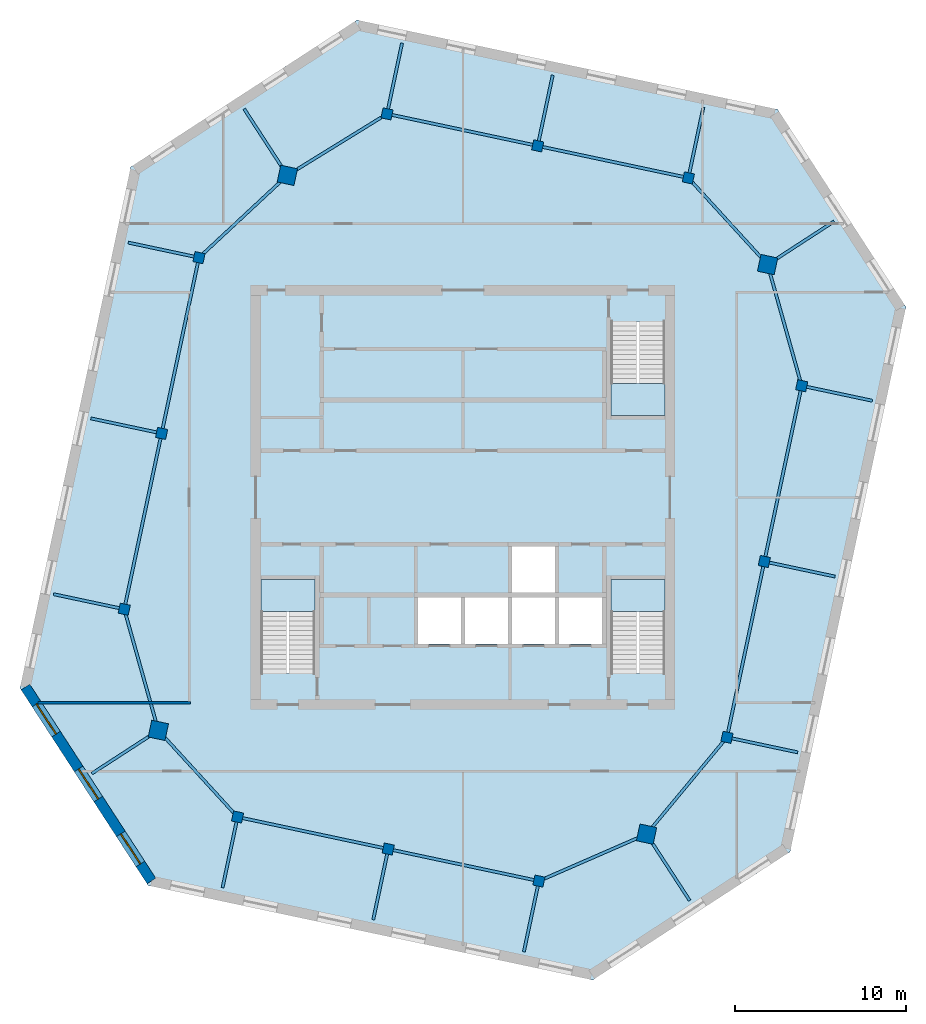
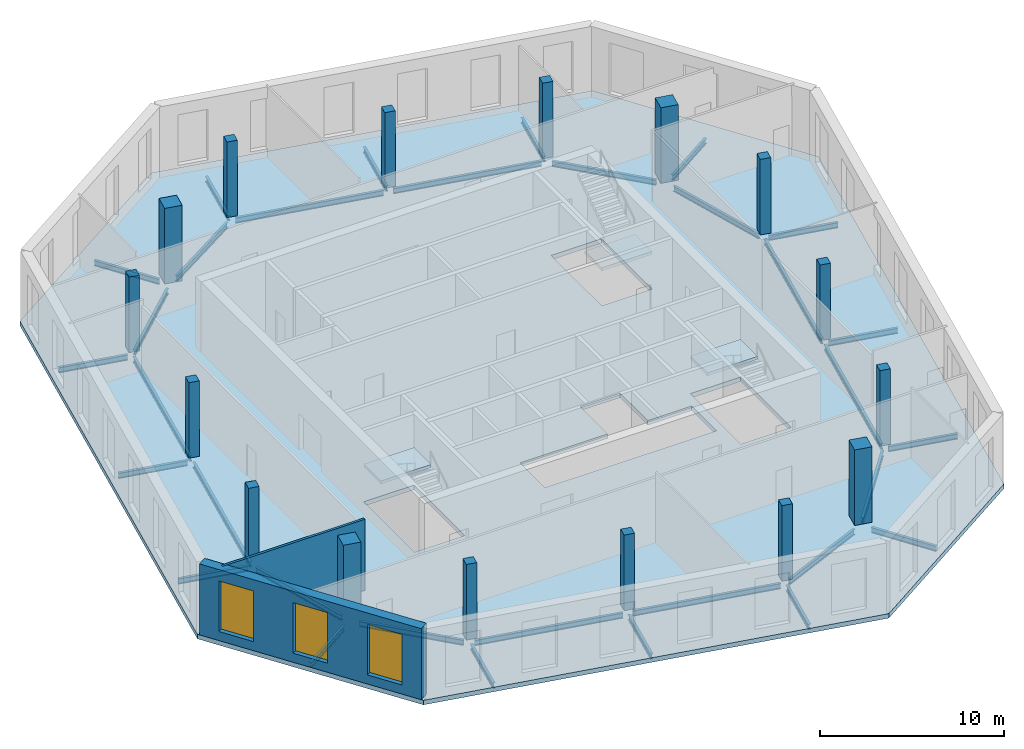
# One storey, part 1 of 6: 32 beams, 16 columns, 4 slabs, 3 windows, 2 walls, 3 openings, 3 elements without a shape of their own.
"""IFC4 building model written with IfcOpenShell, lengths in metres."""

from ifc_helpers import new_model, si_unit, direction, frame, frame_2d, origin, origin_2d, place, context, subcontext, project, spatial, polyline, rectangle, i_section, outline, extrude, material, layer, layer_set, material_profile, profile_set, type_object, element, fill, aggregate, save


model = new_model("IFC4")

# Units and contexts
model_context = context("Model", 3, precision=1e-05, world=origin(), true_north=direction((0.0, 1.0)))
body_context = subcontext(model_context, "Body", "Model", "MODEL_VIEW")
ifc_project = project(units=[si_unit("LENGTHUNIT", "METRE"), si_unit("AREAUNIT", "SQUARE_METRE"), si_unit("VOLUMEUNIT", "CUBIC_METRE"), si_unit("PLANEANGLEUNIT", "RADIAN"), si_unit("MASSUNIT", "GRAM", prefix="KILO")], contexts=[model_context])

# Site, building, storey
site_placement = place(None, origin())
site = spatial("IfcSite", under=ifc_project, at=site_placement, CompositionType="ELEMENT")
building_placement = place(site_placement, origin())
building = spatial("IfcBuilding", under=site, at=building_placement, Name="Dilmun Exchange Tower", CompositionType="ELEMENT")
storey_placement = place(building_placement, frame((0.0, 0.0, 358.10009765625)))
storey = spatial("IfcBuildingStorey", under=building, at=storey_placement, Name="Crown L84", CompositionType="ELEMENT", Elevation=358.10009765625)

# Columns
ifc_material_1 = material(Name="Concrete C50/60", Category="concrete")
ifc_material_profile_1 = material_profile(ifc_material_1, rectangle(XDim=1.0, YDim=1.0, at=origin_2d()), Name="1000 x 1000")
ifc_profile_set_1 = profile_set([ifc_material_profile_1], Name="Concrete C50/60")
column_type_1 = type_object("IfcColumnType", Name="RC crown mega column 1000 x 1000 C50/60", PredefinedType="COLUMN", material=ifc_profile_set_1)
for number, where, z_axis, x_axis, name in (
    (1, (-10.260986328125, 18.820068359375, 0.0), (0.0, 0.0, 1.0), (0.207911690818, 0.978147600734, 0.0), "Crown column M1"),
    (2, (-17.798095703125, -13.60693359375, 0.0), (0.0, 0.0, 1.0), (0.207911690818, 0.978147600734, 0.0), "Crown column M2"),
    (3, (10.72509765625, -19.669921875, 0.0), (0.0, 0.0, 1.0), (0.207911690818, 0.978147600734, 0.0), "Crown column M3"),
    (4, (17.798095703125, 13.60693359375, 0.0), (0.0, 0.0, 1.0), (0.207911690818, 0.978147600734, 0.0), "Crown column M4"),
):
    element("IfcColumn", number, at=place(storey_placement, frame(where, z_axis=z_axis, x_axis=x_axis)), inside=storey, type_object=column_type_1, Name=name, PredefinedType="COLUMN", context=body_context, shape_type="SweptSolid", body=[
        extrude(rectangle(XDim=1.0, YDim=1.0, at=origin_2d()), origin(), (0.0, 0.0, 1.0), 5.0),
    ])
ifc_material_profile_2 = material_profile(ifc_material_1, rectangle(XDim=0.60009765625, YDim=0.60009765625, at=origin_2d()), Name="600 x 600")
ifc_profile_set_2 = profile_set([ifc_material_profile_2], Name="Concrete C50/60")
column_type_2 = type_object("IfcColumnType", Name="RC crown ring column 600 x 600 C50/60", PredefinedType="COLUMN", material=ifc_profile_set_2)
for number, where, z_axis, x_axis, name in (
    (5, (-15.424072265625, 14.012939453125, 0.0), (0.0, 0.0, 1.0), (0.207911690818, 0.978147600734, 0.0), "Crown column R01"),
    (6, (-17.60693359375, 3.741943359375, 0.0), (0.0, 0.0, 1.0), (0.207911690818, 0.978147600734, 0.0), "Crown column R02"),
    (7, (-19.7900390625, -6.528076171875, 0.0), (0.0, 0.0, 1.0), (0.207911690818, 0.978147600734, 0.0), "Crown column R03"),
    (8, (-13.1689453125, -18.669921875, 0.0), (0.0, 0.0, 1.0), (0.207911690818, 0.978147600734, 0.0), "Crown column R04"),
    (9, (-4.365966796875, -20.541015625, 0.0), (0.0, 0.0, 1.0), (0.207911690818, 0.978147600734, 0.0), "Crown column R05"),
    (10, (4.43701171875, -22.412109375, 0.0), (0.0, 0.0, 1.0), (0.207911690818, 0.978147600734, 0.0), "Crown column R06"),
    (11, (15.424072265625, -14.012939453125, 0.0), (0.0, 0.0, 1.0), (0.207911690818, 0.978147600734, 0.0), "Crown column R07"),
    (12, (17.60693359375, -3.741943359375, 0.0), (0.0, 0.0, 1.0), (0.207911690818, 0.978147600734, 0.0), "Crown column R08"),
    (13, (19.7900390625, 6.528076171875, 0.0), (0.0, 0.0, 1.0), (0.207911690818, 0.978147600734, 0.0), "Crown column R09"),
    (14, (13.1689453125, 18.669921875, 0.0), (0.0, 0.0, 1.0), (0.207911690818, 0.978147600734, 0.0), "Crown column R10"),
    (15, (4.365966796875, 20.541015625, 0.0), (0.0, 0.0, 1.0), (0.207911690818, 0.978147600734, 0.0), "Crown column R11"),
    (16, (-4.43701171875, 22.412109375, 0.0), (0.0, 0.0, 1.0), (0.207911690818, 0.978147600734, 0.0), "Crown column R12"),
):
    element("IfcColumn", number, at=place(storey_placement, frame(where, z_axis=z_axis, x_axis=x_axis)), inside=storey, type_object=column_type_2, Name=name, PredefinedType="COLUMN", context=body_context, shape_type="SweptSolid", body=[
        extrude(rectangle(XDim=0.60009765625, YDim=0.60009765625, at=origin_2d()), origin(), (0.0, 0.0, 1.0), 5.0),
    ])

# Beams
ifc_material_2 = material(Name="Steel S355", Category="steel")
ifc_material_profile_3 = material_profile(ifc_material_2, i_section(OverallWidth=0.169921875, OverallDepth=0.360107421875, WebThickness=0.008056640625, FlangeThickness=0.0126953125, FilletRadius=0.01806640625, at=origin_2d()), Name="IPE 360")
ifc_profile_set_3 = profile_set([ifc_material_profile_3], Name="Steel S355")
beam_type_1 = type_object("IfcBeamType", Name="crown cantilever beam IPE 360", PredefinedType="BEAM", material=ifc_profile_set_3)
beam_1_placement = place(storey_placement, frame((-10.63134765625, 19.390380859375, -0.47998046875), z_axis=(-0.544647223982, 0.838665249911, 0.0), x_axis=(-0.838665249911, -0.544647223982, 0.0)))
element("IfcBeam", 17, at=beam_1_placement, inside=storey, type_object=beam_type_1, Name="Crown cantilever beam 1", PredefinedType="BEAM", context=body_context, shape_type="SweptSolid", body=[
    extrude(i_section(OverallWidth=0.169921875, OverallDepth=0.360107421875, WebThickness=0.008056640625, FlangeThickness=0.0126953125, FilletRadius=0.01806640625, at=origin_2d()), origin(), (0.0, 0.0, 1.0), 3.949951171875),
])
for number, where, z_axis, x_axis, name in (
    (18, (-15.69091796875, 14.06982421875, -0.47998046875), (-0.978146596989, 0.207916413008, 0.0), (-0.207916413008, -0.978146596989, 0.0), "Crown cantilever beam 2"),
    (19, (-17.8740234375, 3.798828125, -0.47998046875), (-0.978146596989, 0.207916413008, 0.0), (-0.207916413008, -0.978146596989, 0.0), "Crown cantilever beam 3"),
    (20, (-20.056884765625, -6.47119140625, -0.47998046875), (-0.978146596989, 0.207916413008, 0.0), (-0.207916413008, -0.978146596989, 0.0), "Crown cantilever beam 4"),
):
    element("IfcBeam", number, at=place(storey_placement, frame(where, z_axis=z_axis, x_axis=x_axis)), inside=storey, type_object=beam_type_1, Name=name, PredefinedType="BEAM", context=body_context, shape_type="SweptSolid", body=[
        extrude(i_section(OverallWidth=0.169921875, OverallDepth=0.360107421875, WebThickness=0.008056640625, FlangeThickness=0.0126953125, FilletRadius=0.01806640625, at=origin_2d()), origin(), (0.0, 0.0, 1.0), 3.9501953125),
    ])
beam_2_placement = place(storey_placement, frame((-18.368408203125, -13.977294921875, -0.47998046875), z_axis=(-0.838665249911, -0.544647223982, 0.0), x_axis=(0.544647223982, -0.838665249911, 0.0)))
element("IfcBeam", 21, at=beam_2_placement, inside=storey, type_object=beam_type_1, Name="Crown cantilever beam 5", PredefinedType="BEAM", context=body_context, shape_type="SweptSolid", body=[
    extrude(i_section(OverallWidth=0.169921875, OverallDepth=0.360107421875, WebThickness=0.008056640625, FlangeThickness=0.0126953125, FilletRadius=0.01806640625, at=origin_2d()), origin(), (0.0, 0.0, 1.0), 3.949951171875),
])
beam_3_placement = place(storey_placement, frame((-13.225830078125, -18.93701171875, -0.47998046875), z_axis=(-0.207916413008, -0.978146596989, 0.0), x_axis=(0.978146596989, -0.207916413008, 0.0)))
element("IfcBeam", 22, at=beam_3_placement, inside=storey, type_object=beam_type_1, Name="Crown cantilever beam 6", PredefinedType="BEAM", context=body_context, shape_type="SweptSolid", body=[
    extrude(i_section(OverallWidth=0.169921875, OverallDepth=0.360107421875, WebThickness=0.008056640625, FlangeThickness=0.0126953125, FilletRadius=0.01806640625, at=origin_2d()), origin(), (0.0, 0.0, 1.0), 3.9501953125),
])
beam_4_placement = place(storey_placement, frame((-4.4228515625, -20.80810546875, -0.47998046875), z_axis=(-0.20786984461, -0.978156494484, 0.0), x_axis=(0.978156494484, -0.20786984461, 0.0)))
element("IfcBeam", 23, at=beam_4_placement, inside=storey, type_object=beam_type_1, Name="Crown cantilever beam 7", PredefinedType="BEAM", context=body_context, shape_type="SweptSolid", body=[
    extrude(i_section(OverallWidth=0.169921875, OverallDepth=0.360107421875, WebThickness=0.008056640625, FlangeThickness=0.0126953125, FilletRadius=0.01806640625, at=origin_2d()), origin(), (0.0, 0.0, 1.0), 3.94970703125),
])
beam_5_placement = place(storey_placement, frame((4.380126953125, -22.678955078125, -0.47998046875), z_axis=(-0.207857277402, -0.978159165081, 0.0), x_axis=(0.978159165081, -0.207857277402, 0.0)))
element("IfcBeam", 24, at=beam_5_placement, inside=storey, type_object=beam_type_1, Name="Crown cantilever beam 8", PredefinedType="BEAM", context=body_context, shape_type="SweptSolid", body=[
    extrude(i_section(OverallWidth=0.169921875, OverallDepth=0.360107421875, WebThickness=0.008056640625, FlangeThickness=0.0126953125, FilletRadius=0.01806640625, at=origin_2d()), origin(), (0.0, 0.0, 1.0), 3.949951171875),
])
beam_6_placement = place(storey_placement, frame((11.095458984375, -20.240478515625, -0.47998046875), z_axis=(0.544631981942, -0.838675148222, 0.0), x_axis=(0.838675148222, 0.544631981942, 0.0)))
element("IfcBeam", 25, at=beam_6_placement, inside=storey, type_object=beam_type_1, Name="Crown cantilever beam 9", PredefinedType="BEAM", context=body_context, shape_type="SweptSolid", body=[
    extrude(i_section(OverallWidth=0.169921875, OverallDepth=0.360107421875, WebThickness=0.008056640625, FlangeThickness=0.0126953125, FilletRadius=0.01806640625, at=origin_2d()), origin(), (0.0, 0.0, 1.0), 3.94970703125),
])
for number, where, z_axis, x_axis, name in (
    (26, (15.69091796875, -14.06982421875, -0.47998046875), (0.978146596989, -0.207916413008, 0.0), (0.207916413008, 0.978146596989, 0.0), "Crown cantilever beam 10"),
    (27, (17.8740234375, -3.798828125, -0.47998046875), (0.978146596989, -0.207916413008, 0.0), (0.207916413008, 0.978146596989, 0.0), "Crown cantilever beam 11"),
    (28, (20.056884765625, 6.47119140625, -0.47998046875), (0.978146596989, -0.207916413008, 0.0), (0.207916413008, 0.978146596989, 0.0), "Crown cantilever beam 12"),
):
    element("IfcBeam", number, at=place(storey_placement, frame(where, z_axis=z_axis, x_axis=x_axis)), inside=storey, type_object=beam_type_1, Name=name, PredefinedType="BEAM", context=body_context, shape_type="SweptSolid", body=[
        extrude(i_section(OverallWidth=0.169921875, OverallDepth=0.360107421875, WebThickness=0.008056640625, FlangeThickness=0.0126953125, FilletRadius=0.01806640625, at=origin_2d()), origin(), (0.0, 0.0, 1.0), 3.9501953125),
    ])
beam_7_placement = place(storey_placement, frame((18.368408203125, 13.977294921875, -0.47998046875), z_axis=(0.838665249911, 0.544647223982, 0.0), x_axis=(-0.544647223982, 0.838665249911, 0.0)))
element("IfcBeam", 29, at=beam_7_placement, inside=storey, type_object=beam_type_1, Name="Crown cantilever beam 13", PredefinedType="BEAM", context=body_context, shape_type="SweptSolid", body=[
    extrude(i_section(OverallWidth=0.169921875, OverallDepth=0.360107421875, WebThickness=0.008056640625, FlangeThickness=0.0126953125, FilletRadius=0.01806640625, at=origin_2d()), origin(), (0.0, 0.0, 1.0), 3.949951171875),
])
beam_8_placement = place(storey_placement, frame((13.225830078125, 18.93701171875, -0.47998046875), z_axis=(0.207916413008, 0.978146596989, 0.0), x_axis=(-0.978146596989, 0.207916413008, 0.0)))
element("IfcBeam", 30, at=beam_8_placement, inside=storey, type_object=beam_type_1, Name="Crown cantilever beam 14", PredefinedType="BEAM", context=body_context, shape_type="SweptSolid", body=[
    extrude(i_section(OverallWidth=0.169921875, OverallDepth=0.360107421875, WebThickness=0.008056640625, FlangeThickness=0.0126953125, FilletRadius=0.01806640625, at=origin_2d()), origin(), (0.0, 0.0, 1.0), 3.9501953125),
])
beam_9_placement = place(storey_placement, frame((4.4228515625, 20.80810546875, -0.47998046875), z_axis=(0.20786984461, 0.978156494484, 0.0), x_axis=(-0.978156494484, 0.20786984461, 0.0)))
element("IfcBeam", 31, at=beam_9_placement, inside=storey, type_object=beam_type_1, Name="Crown cantilever beam 15", PredefinedType="BEAM", context=body_context, shape_type="SweptSolid", body=[
    extrude(i_section(OverallWidth=0.169921875, OverallDepth=0.360107421875, WebThickness=0.008056640625, FlangeThickness=0.0126953125, FilletRadius=0.01806640625, at=origin_2d()), origin(), (0.0, 0.0, 1.0), 3.94970703125),
])
beam_10_placement = place(storey_placement, frame((-4.380126953125, 22.678955078125, -0.47998046875), z_axis=(0.207857277402, 0.978159165081, 0.0), x_axis=(-0.978159165081, 0.207857277402, 0.0)))
element("IfcBeam", 32, at=beam_10_placement, inside=storey, type_object=beam_type_1, Name="Crown cantilever beam 16", PredefinedType="BEAM", context=body_context, shape_type="SweptSolid", body=[
    extrude(i_section(OverallWidth=0.169921875, OverallDepth=0.360107421875, WebThickness=0.008056640625, FlangeThickness=0.0126953125, FilletRadius=0.01806640625, at=origin_2d()), origin(), (0.0, 0.0, 1.0), 3.949951171875),
])
ifc_material_profile_4 = material_profile(ifc_material_2, i_section(OverallWidth=0.169921875, OverallDepth=0.360107421875, WebThickness=0.008056640625, FlangeThickness=0.0126953125, FilletRadius=0.01806640625, at=origin_2d()), Name="IPE 360")
ifc_profile_set_4 = profile_set([ifc_material_profile_4], Name="Steel S355")
beam_type_2 = type_object("IfcBeamType", Name="crown ring beam IPE 360", PredefinedType="BEAM", material=ifc_profile_set_4)
beam_11_placement = place(storey_placement, frame((-10.688232421875, 18.422119140625, -0.47998046875), z_axis=(-0.731902192128, -0.681409701398, 0.0), x_axis=(0.681409701398, -0.731902192128, 0.0)))
element("IfcBeam", 33, at=beam_11_placement, inside=storey, type_object=beam_type_2, Name="Crown ring beam 1", PredefinedType="BEAM", context=body_context, shape_type="SweptSolid", body=[
    extrude(i_section(OverallWidth=0.169921875, OverallDepth=0.360107421875, WebThickness=0.008056640625, FlangeThickness=0.0126953125, FilletRadius=0.01806640625, at=origin_2d()), origin(), (0.0, 0.0, 1.0), 6.131103515625),
])
beam_12_placement = place(storey_placement, frame((-15.480712890625, 13.74609375, -0.47998046875), z_axis=(-0.207902460752, -0.978149562599, 0.0), x_axis=(0.978149562599, -0.207902460752, 0.0)))
element("IfcBeam", 34, at=beam_12_placement, inside=storey, type_object=beam_type_2, Name="Crown ring beam 2", PredefinedType="BEAM", context=body_context, shape_type="SweptSolid", body=[
    extrude(i_section(OverallWidth=0.169921875, OverallDepth=0.360107421875, WebThickness=0.008056640625, FlangeThickness=0.0126953125, FilletRadius=0.01806640625, at=origin_2d()), origin(), (0.0, 0.0, 1.0), 9.95458984375),
])
beam_13_placement = place(storey_placement, frame((-17.663818359375, 3.47509765625, -0.47998046875), z_axis=(-0.207898944968, -0.978150309861, 0.0), x_axis=(0.978150309861, -0.207898944968, 0.0)))
element("IfcBeam", 35, at=beam_13_placement, inside=storey, type_object=beam_type_2, Name="Crown ring beam 3", PredefinedType="BEAM", context=body_context, shape_type="SweptSolid", body=[
    extrude(i_section(OverallWidth=0.169921875, OverallDepth=0.360107421875, WebThickness=0.008056640625, FlangeThickness=0.0126953125, FilletRadius=0.01806640625, at=origin_2d()), origin(), (0.0, 0.0, 1.0), 9.95361328125),
])
beam_14_placement = place(storey_placement, frame((-19.70556640625, -6.828125, -0.47998046875), z_axis=(0.27088688056, -0.962611187313, 0.0), x_axis=(0.962611187313, 0.27088688056, 0.0)))
element("IfcBeam", 36, at=beam_14_placement, inside=storey, type_object=beam_type_2, Name="Crown ring beam 4", PredefinedType="BEAM", context=body_context, shape_type="SweptSolid", body=[
    extrude(i_section(OverallWidth=0.169921875, OverallDepth=0.360107421875, WebThickness=0.008056640625, FlangeThickness=0.0126953125, FilletRadius=0.01806640625, at=origin_2d()), origin(), (0.0, 0.0, 1.0), 6.50439453125),
])
beam_15_placement = place(storey_placement, frame((-17.401611328125, -14.040771484375, -0.47998046875), z_axis=(0.674784574678, -0.738014754443, 0.0), x_axis=(0.738014754443, 0.674784574678, 0.0)))
element("IfcBeam", 37, at=beam_15_placement, inside=storey, type_object=beam_type_2, Name="Crown ring beam 5", PredefinedType="BEAM", context=body_context, shape_type="SweptSolid", body=[
    extrude(i_section(OverallWidth=0.169921875, OverallDepth=0.360107421875, WebThickness=0.008056640625, FlangeThickness=0.0126953125, FilletRadius=0.01806640625, at=origin_2d()), origin(), (0.0, 0.0, 1.0), 5.9306640625),
])
for number, where, z_axis, x_axis, name in (
    (38, (-12.902099609375, -18.726806640625, -0.47998046875), (0.978155180899, -0.207876025749, 0.0), (0.207876025749, 0.978155180899, 0.0), "Crown ring beam 6"),
    (39, (-4.09912109375, -20.597900390625, -0.47998046875), (0.978155180899, -0.207876025749, 0.0), (0.207876025749, 0.978155180899, 0.0), "Crown ring beam 7"),
):
    element("IfcBeam", number, at=place(storey_placement, frame(where, z_axis=z_axis, x_axis=x_axis)), inside=storey, type_object=beam_type_2, Name=name, PredefinedType="BEAM", context=body_context, shape_type="SweptSolid", body=[
        extrude(i_section(OverallWidth=0.169921875, OverallDepth=0.360107421875, WebThickness=0.008056640625, FlangeThickness=0.0126953125, FilletRadius=0.01806640625, at=origin_2d()), origin(), (0.0, 0.0, 1.0), 8.45361328125),
    ])
beam_16_placement = place(storey_placement, frame((4.750244140625, -22.275390625, -0.47998046875), z_axis=(0.916630994698, 0.399734436294, 0.0), x_axis=(-0.399734436294, 0.916630994698, 0.0)))
element("IfcBeam", 40, at=beam_16_placement, inside=storey, type_object=beam_type_2, Name="Crown ring beam 8", PredefinedType="BEAM", context=body_context, shape_type="SweptSolid", body=[
    extrude(i_section(OverallWidth=0.169921875, OverallDepth=0.360107421875, WebThickness=0.008056640625, FlangeThickness=0.0126953125, FilletRadius=0.01806640625, at=origin_2d()), origin(), (0.0, 0.0, 1.0), 5.930419921875),
])
beam_17_placement = place(storey_placement, frame((11.068603515625, -19.25634765625, -0.47998046875), z_axis=(0.638957852537, 0.76924174528, 0.0), x_axis=(-0.76924174528, 0.638957852537, 0.0)))
element("IfcBeam", 41, at=beam_17_placement, inside=storey, type_object=beam_type_2, Name="Crown ring beam 9", PredefinedType="BEAM", context=body_context, shape_type="SweptSolid", body=[
    extrude(i_section(OverallWidth=0.169921875, OverallDepth=0.360107421875, WebThickness=0.008056640625, FlangeThickness=0.0126953125, FilletRadius=0.01806640625, at=origin_2d()), origin(), (0.0, 0.0, 1.0), 6.50439453125),
])
beam_18_placement = place(storey_placement, frame((15.480712890625, -13.74609375, -0.47998046875), z_axis=(0.207902460752, 0.978149562599, 0.0), x_axis=(-0.978149562599, 0.207902460752, 0.0)))
element("IfcBeam", 42, at=beam_18_placement, inside=storey, type_object=beam_type_2, Name="Crown ring beam 10", PredefinedType="BEAM", context=body_context, shape_type="SweptSolid", body=[
    extrude(i_section(OverallWidth=0.169921875, OverallDepth=0.360107421875, WebThickness=0.008056640625, FlangeThickness=0.0126953125, FilletRadius=0.01806640625, at=origin_2d()), origin(), (0.0, 0.0, 1.0), 9.95458984375),
])
beam_19_placement = place(storey_placement, frame((17.663818359375, -3.47509765625, -0.47998046875), z_axis=(0.207898944968, 0.978150309861, 0.0), x_axis=(-0.978150309861, 0.207898944968, 0.0)))
element("IfcBeam", 43, at=beam_19_placement, inside=storey, type_object=beam_type_2, Name="Crown ring beam 11", PredefinedType="BEAM", context=body_context, shape_type="SweptSolid", body=[
    extrude(i_section(OverallWidth=0.169921875, OverallDepth=0.360107421875, WebThickness=0.008056640625, FlangeThickness=0.0126953125, FilletRadius=0.01806640625, at=origin_2d()), origin(), (0.0, 0.0, 1.0), 9.95361328125),
])
beam_20_placement = place(storey_placement, frame((19.70556640625, 6.828125, -0.47998046875), z_axis=(-0.27088688056, 0.962611187313, 0.0), x_axis=(-0.962611187313, -0.27088688056, 0.0)))
element("IfcBeam", 44, at=beam_20_placement, inside=storey, type_object=beam_type_2, Name="Crown ring beam 12", PredefinedType="BEAM", context=body_context, shape_type="SweptSolid", body=[
    extrude(i_section(OverallWidth=0.169921875, OverallDepth=0.360107421875, WebThickness=0.008056640625, FlangeThickness=0.0126953125, FilletRadius=0.01806640625, at=origin_2d()), origin(), (0.0, 0.0, 1.0), 6.50439453125),
])
beam_21_placement = place(storey_placement, frame((17.401611328125, 14.040771484375, -0.47998046875), z_axis=(-0.674784574678, 0.738014754443, 0.0), x_axis=(-0.738014754443, -0.674784574678, 0.0)))
element("IfcBeam", 45, at=beam_21_placement, inside=storey, type_object=beam_type_2, Name="Crown ring beam 13", PredefinedType="BEAM", context=body_context, shape_type="SweptSolid", body=[
    extrude(i_section(OverallWidth=0.169921875, OverallDepth=0.360107421875, WebThickness=0.008056640625, FlangeThickness=0.0126953125, FilletRadius=0.01806640625, at=origin_2d()), origin(), (0.0, 0.0, 1.0), 5.9306640625),
])
for number, where, z_axis, x_axis, name in (
    (46, (12.902099609375, 18.726806640625, -0.47998046875), (-0.978155180899, 0.207876025749, 0.0), (-0.207876025749, -0.978155180899, 0.0), "Crown ring beam 14"),
    (47, (4.09912109375, 20.597900390625, -0.47998046875), (-0.978155180899, 0.207876025749, 0.0), (-0.207876025749, -0.978155180899, 0.0), "Crown ring beam 15"),
):
    element("IfcBeam", number, at=place(storey_placement, frame(where, z_axis=z_axis, x_axis=x_axis)), inside=storey, type_object=beam_type_2, Name=name, PredefinedType="BEAM", context=body_context, shape_type="SweptSolid", body=[
        extrude(i_section(OverallWidth=0.169921875, OverallDepth=0.360107421875, WebThickness=0.008056640625, FlangeThickness=0.0126953125, FilletRadius=0.01806640625, at=origin_2d()), origin(), (0.0, 0.0, 1.0), 8.45361328125),
    ])
beam_22_placement = place(storey_placement, frame((-4.76708984375, 22.20849609375, -0.47998046875), z_axis=(-0.851138218853, -0.524941646669, 0.0), x_axis=(0.524941646669, -0.851138218853, 0.0)))
element("IfcBeam", 48, at=beam_22_placement, inside=storey, type_object=beam_type_2, Name="Crown ring beam 16", PredefinedType="BEAM", context=body_context, shape_type="SweptSolid", body=[
    extrude(i_section(OverallWidth=0.169921875, OverallDepth=0.360107421875, WebThickness=0.008056640625, FlangeThickness=0.0126953125, FilletRadius=0.01806640625, at=origin_2d()), origin(), (0.0, 0.0, 1.0), 5.790771484375),
])

# Stair, slab
ifc_material_3 = material(Name="Concrete C40/50", Category="concrete")
stair_type = type_object("IfcStairType", Name="Exit stair 1500 half-turn", PredefinedType="HALF_TURN_STAIR", material=ifc_material_3)
stair_1_placement = place(storey_placement, origin())
stair_1 = element("IfcStair", 49, at=stair_1_placement, inside=storey, type_object=stair_type, Name="Crown L84 Protected exit stair ST1", PredefinedType="HALF_TURN_STAIR")
ifc_layer_1 = layer(ifc_material_3, 0.199951171875)
ifc_layer_set_1 = layer_set([ifc_layer_1], Name="Concrete C40/50")
slab_type_1 = type_object("IfcSlabType", Name="Exit stair landing 200", PredefinedType="LANDING", material=ifc_layer_set_1)
slab_1_placement = place(storey_placement, frame((0.0, 0.0, 2.2998046875)))
slab_1 = element("IfcSlab", 50, at=slab_1_placement, type_object=slab_type_1, Name="ST1 landing 1", PredefinedType="LANDING", context=body_context, shape_type="SweptSolid", body=[
    extrude(outline(polyline([(8.64990234375, 6.659912109375), (8.64990234375, 4.800048828125), (11.800048828125, 4.800048828125), (11.800048828125, 6.659912109375), (8.64990234375, 6.659912109375)])), origin(), (0.0, 0.0, 1.0), 0.2001953125),
])
aggregate(stair_1, [slab_1])

stair_2_placement = place(storey_placement, origin())
stair_2 = element("IfcStair", 51, at=stair_2_placement, inside=storey, type_object=stair_type, Name="Crown L84 Protected exit stair ST2", PredefinedType="HALF_TURN_STAIR")
slab_2_placement = place(storey_placement, frame((0.0, 0.0, 2.2998046875)))
slab_2 = element("IfcSlab", 52, at=slab_2_placement, type_object=slab_type_1, Name="ST2 landing 1", PredefinedType="LANDING", context=body_context, shape_type="SweptSolid", body=[
    extrude(outline(polyline([(-8.64990234375, -6.659912109375), (-8.64990234375, -4.800048828125), (-11.800048828125, -4.800048828125), (-11.800048828125, -6.659912109375), (-8.64990234375, -6.659912109375)])), origin(), (0.0, 0.0, 1.0), 0.2001953125),
])
aggregate(stair_2, [slab_2])

stair_3_placement = place(storey_placement, origin())
stair_3 = element("IfcStair", 53, at=stair_3_placement, inside=storey, type_object=stair_type, Name="Crown L84 Protected exit stair ST3", PredefinedType="HALF_TURN_STAIR")
slab_3_placement = place(storey_placement, frame((0.0, 0.0, 2.2998046875)))
slab_3 = element("IfcSlab", 54, at=slab_3_placement, type_object=slab_type_1, Name="ST3 landing 1", PredefinedType="LANDING", context=body_context, shape_type="SweptSolid", body=[
    extrude(outline(polyline([(11.800048828125, -6.659912109375), (11.800048828125, -4.800048828125), (8.64990234375, -4.800048828125), (8.64990234375, -6.659912109375), (11.800048828125, -6.659912109375)])), origin(), (0.0, 0.0, 1.0), 0.2001953125),
])
aggregate(stair_3, [slab_3])

# Slab
ifc_layer_2 = layer(ifc_material_3, 0.300048828125)
ifc_layer_set_2 = layer_set([ifc_layer_2], Name="Concrete C40/50")
slab_type_2 = type_object("IfcSlabType", Name="RC floor slab 300", PredefinedType="FLOOR", material=ifc_layer_set_2)
slab_4_placement = place(storey_placement, frame((0.0, 0.0, -0.300048828125)))
element("IfcSlab", 55, at=slab_4_placement, inside=storey, type_object=slab_type_2, Name="Floor slab", PredefinedType="FLOOR", context=body_context, shape_type="SweptSolid", body=[
    extrude(outline(polyline([(-19.408203125, 19.315185546875), (-6.193115234375, 27.897216796875), (18.3876953125, 22.67236328125), (25.880615234375, 11.134521484375), (19.1142578125, -20.698486328125), (7.576416015625, -28.19140625), (-18.3876953125, -22.67236328125), (-25.880615234375, -11.134521484375), (-19.408203125, 19.315185546875)]), holes=[polyline([(-8.64990234375, -4.800048828125), (-11.800048828125, -4.800048828125), (-11.800048828125, -10.294921875), (-8.64990234375, -10.294921875), (-8.64990234375, -4.800048828125)]), polyline([(11.800048828125, -4.800048828125), (8.64990234375, -4.800048828125), (8.64990234375, -10.294921875), (11.800048828125, -10.294921875), (11.800048828125, -4.800048828125)]), polyline([(-2.625, -5.85009765625), (-2.625, -8.550048828125), (8.125, -8.550048828125), (8.125, -5.85009765625), (5.375, -5.85009765625), (5.375, -2.85009765625), (2.875, -2.85009765625), (2.875, -5.85009765625), (-2.625, -5.85009765625)]), polyline([(8.64990234375, 4.800048828125), (11.800048828125, 4.800048828125), (11.800048828125, 10.294921875), (8.64990234375, 10.294921875), (8.64990234375, 4.800048828125)])]), origin(), (0.0, 0.0, 1.0), 0.300048828125),
])

# Wall
ifc_material_4 = material(Name="Fire partition EI 60 150 gypsum")
ifc_layer_3 = layer(ifc_material_4, 0.14990234375)
ifc_layer_set_3 = layer_set([ifc_layer_3], Name="Fire partition EI 60 150 gypsum")
wall_type_1 = type_object("IfcWallType", Name="Fire partition EI 60 150 gypsum", PredefinedType="PARTITIONING", material=ifc_layer_set_3)
wall_1_placement = place(storey_placement, frame((-24.841552734375, -12.0, 0.0), z_axis=(0.0, 0.0, 1.0), x_axis=(1.0, 0.0, 0.0)))
element("IfcWall", 56, at=wall_1_placement, inside=storey, type_object=wall_type_1, Name="Crown L84 partition", PredefinedType="PARTITIONING", context=body_context, shape_type="SweptSolid", body=[
    extrude(rectangle(XDim=8.91650390625, YDim=0.14990234375, at=frame_2d((4.458251953125, 0.0))), origin(), (0.0, 0.0, 1.0), 4.699951171875),
])

# Wall, openings, windows
ifc_material_5 = material(Name="Precast concrete C50/60", Category="concrete")
ifc_layer_4 = layer(ifc_material_5, 0.60009765625)
ifc_layer_set_4 = layer_set([ifc_layer_4], Name="Precast concrete C50/60")
wall_type_2 = type_object("IfcWallType", Name="Precast stone-clad wall 600", PredefinedType="STANDARD", material=ifc_layer_set_4)
wall_2_placement = place(storey_placement, frame((-25.561279296875, -11.075439453125, 0.0), z_axis=(0.0, 0.0, 1.0), x_axis=(0.544642093959, -0.838668581436, 0.0)))
wall_2 = element("IfcWall", 57, at=wall_2_placement, inside=storey, type_object=wall_type_2, Name="Facade wall Crown L84-07", PredefinedType="STANDARD", context=body_context, shape_type="SweptSolid", body=[
    extrude(rectangle(XDim=13.5087890625, YDim=0.60009765625, at=frame_2d((6.75439453125, 0.0))), origin(), (0.0, 0.0, 1.0), 4.699951171875),
])
opening_1_placement = place(wall_2_placement, frame((1.180908203125, 0.0, 0.60009765625)))
opening_1 = element("IfcOpeningElement", 58, at=opening_1_placement, cuts=wall_2, Name="Opening LV210-335", PredefinedType="OPENING", context=body_context, shape_type="SweptSolid", body=[
    extrude(rectangle(XDim=2.10009765625, YDim=3.35009765625, at=frame_2d((1.050048828125, 1.675048828125))), frame((0.0, 0.31005859375, 0.0), z_axis=(0.0, -1.0, 0.0), x_axis=(1.0, 0.0, 0.0)), (0.0, 0.0, 1.0), 0.6201171875),
])
opening_2_placement = place(wall_2_placement, frame((5.704345703125, 0.0, 0.60009765625)))
opening_2 = element("IfcOpeningElement", 59, at=opening_2_placement, cuts=wall_2, Name="Opening LV210-335", PredefinedType="OPENING", context=body_context, shape_type="SweptSolid", body=[
    extrude(rectangle(XDim=2.10009765625, YDim=3.35009765625, at=frame_2d((1.050048828125, 1.675048828125))), frame((0.0, 0.31005859375, 0.0), z_axis=(0.0, -1.0, 0.0), x_axis=(1.0, 0.0, 0.0)), (0.0, 0.0, 1.0), 0.6201171875),
])
opening_3_placement = place(wall_2_placement, frame((10.22802734375, 0.0, 0.60009765625)))
opening_3 = element("IfcOpeningElement", 60, at=opening_3_placement, cuts=wall_2, Name="Opening LV210-335", PredefinedType="OPENING", context=body_context, shape_type="SweptSolid", body=[
    extrude(rectangle(XDim=2.10009765625, YDim=3.35009765625, at=frame_2d((1.050048828125, 1.675048828125))), frame((0.0, 0.31005859375, 0.0), z_axis=(0.0, -1.0, 0.0), x_axis=(1.0, 0.0, 0.0)), (0.0, 0.0, 1.0), 0.6201171875),
])
ifc_material_6 = material(Name="Anodised aluminium louvre blades with sand trap", Category="aluminium")
window_type = type_object("IfcWindowType", Name="Plant louvre 2100 x 3350", PartitioningType="SINGLE_PANEL", PredefinedType="USERDEFINED", material=ifc_material_6)
window_1_placement = place(opening_1_placement, origin())
window_1 = element("IfcWindow", 61, at=window_1_placement, inside=storey, type_object=window_type, Name="Plant louvre 8.1", ObjectType="LOUVRE", OverallHeight=3.35009765625, OverallWidth=2.10009765625, PartitioningType="SINGLE_PANEL", PredefinedType="USERDEFINED", context=body_context, shape_type="SweptSolid", body=[
    extrude(rectangle(XDim=2.10009765625, YDim=3.35009765625, at=frame_2d((1.050048828125, 1.675048828125))), frame((0.0, 0.030029296875, 0.0), z_axis=(0.0, -1.0, 0.0), x_axis=(1.0, 0.0, 0.0)), (0.0, 0.0, 1.0), 0.06005859375),
])
fill(opening_1, window_1)
window_2_placement = place(opening_2_placement, origin())
window_2 = element("IfcWindow", 62, at=window_2_placement, inside=storey, type_object=window_type, Name="Plant louvre 8.2", ObjectType="LOUVRE", OverallHeight=3.35009765625, OverallWidth=2.10009765625, PartitioningType="SINGLE_PANEL", PredefinedType="USERDEFINED", context=body_context, shape_type="SweptSolid", body=[
    extrude(rectangle(XDim=2.10009765625, YDim=3.35009765625, at=frame_2d((1.050048828125, 1.675048828125))), frame((0.0, 0.030029296875, 0.0), z_axis=(0.0, -1.0, 0.0), x_axis=(1.0, 0.0, 0.0)), (0.0, 0.0, 1.0), 0.06005859375),
])
fill(opening_2, window_2)
window_3_placement = place(opening_3_placement, origin())
window_3 = element("IfcWindow", 63, at=window_3_placement, inside=storey, type_object=window_type, Name="Plant louvre 8.3", ObjectType="LOUVRE", OverallHeight=3.35009765625, OverallWidth=2.10009765625, PartitioningType="SINGLE_PANEL", PredefinedType="USERDEFINED", context=body_context, shape_type="SweptSolid", body=[
    extrude(rectangle(XDim=2.10009765625, YDim=3.35009765625, at=frame_2d((1.050048828125, 1.675048828125))), frame((0.0, 0.030029296875, 0.0), z_axis=(0.0, -1.0, 0.0), x_axis=(1.0, 0.0, 0.0)), (0.0, 0.0, 1.0), 0.06005859375),
])
fill(opening_3, window_3)

save(model, "model.ifc")
